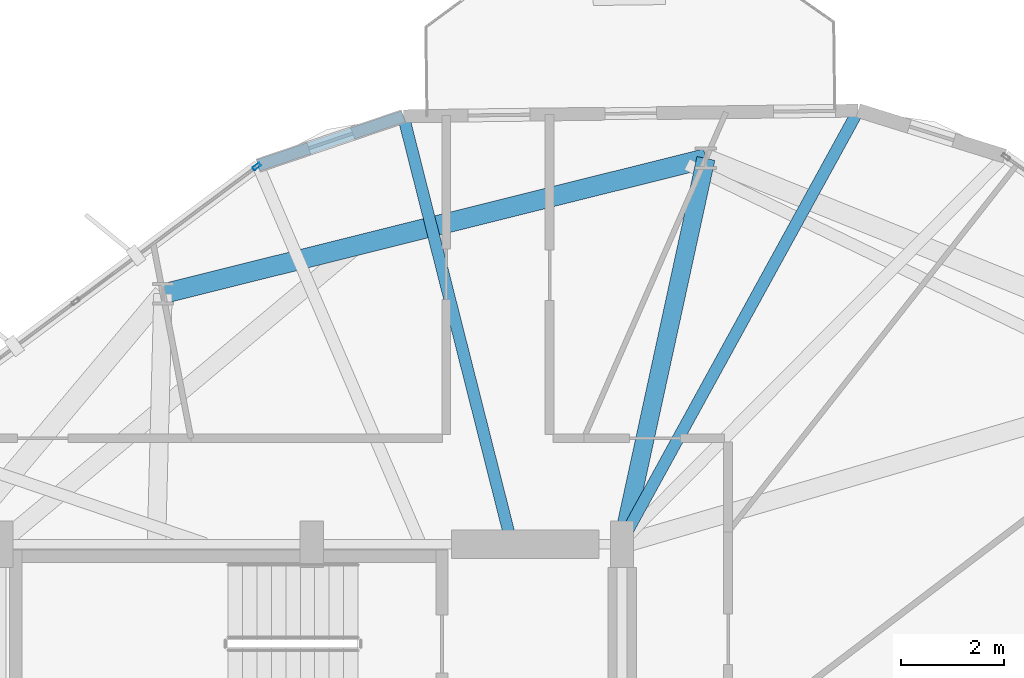
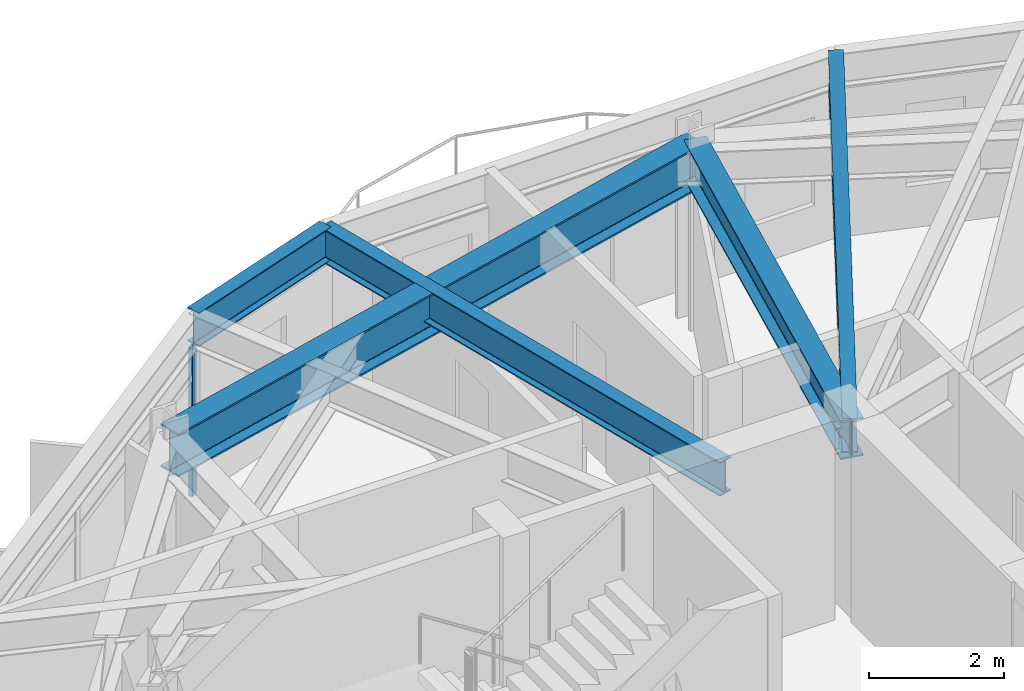
# One storey, part 16 of 27: 5 beams, 1 member, 1 element without a shape of its own.
"""IFC4 building model written with IfcOpenShell, lengths in metres."""

from ifc_helpers import new_model, si_unit, direction, frame, origin, origin_2d, place, context, subcontext, project, spatial, hollow_rectangle, i_section, extrude, material, layer, layer_set, material_profile, profile_set, type_object, element, aggregate, save


model = new_model("IFC4")

# Units and contexts
model_context = context("Model", 3, precision=1e-05, world=origin(), true_north=direction((0.0, 1.0)))
body_context = subcontext(model_context, "Body", "Model", "MODEL_VIEW")
ifc_project = project(units=[si_unit("LENGTHUNIT", "METRE"), si_unit("AREAUNIT", "SQUARE_METRE"), si_unit("VOLUMEUNIT", "CUBIC_METRE"), si_unit("PLANEANGLEUNIT", "RADIAN"), si_unit("MASSUNIT", "GRAM", prefix="KILO")], contexts=[model_context])

# Site, building, storey
site_placement = place(None, origin())
site = spatial("IfcSite", under=ifc_project, at=site_placement, CompositionType="ELEMENT")
building_placement = place(site_placement, origin())
building = spatial("IfcBuilding", under=site, at=building_placement, Name="Soratama Intermodal Tower", CompositionType="ELEMENT")
storey_placement = place(building_placement, frame((0.0, 0.0, 167.800048828125)))
storey = spatial("IfcBuildingStorey", under=building, at=storey_placement, Name="L41", CompositionType="ELEMENT", Elevation=167.800048828125)

# Beams
ifc_material_1 = material(Name="Structural steel ASTM A992 Grade 50", Category="steel")
ifc_material_profile_1 = material_profile(ifc_material_1, i_section(OverallWidth=0.35498046875, OverallDepth=0.695068359375, WebThickness=0.015380859375, FlangeThickness=0.02490234375, FilletRadius=0.01611328125, at=origin_2d()), Name="W27X146")
ifc_profile_set_1 = profile_set([ifc_material_profile_1], Name="Structural steel ASTM A992 Grade 50")
beam_type_1 = type_object("IfcBeamType", Name="BM-RING-W27X146", PredefinedType="BEAM", material=ifc_profile_set_1)
beam_1_placement = place(storey_placement, frame((44.60009765625, 35.0, 2.952392578125), z_axis=(0.212399095304, 0.977183004515, 0.0), x_axis=(-0.977183004515, 0.212399095304, 0.0)))
element("IfcBeam", 1, at=beam_1_placement, inside=storey, type_object=beam_type_1, Name="BM-L41-RAD-03", PredefinedType="BEAM", context=body_context, shape_type="SweptSolid", body=[
    extrude(i_section(OverallWidth=0.35498046875, OverallDepth=0.695068359375, WebThickness=0.015380859375, FlangeThickness=0.02490234375, FilletRadius=0.01611328125, at=origin_2d()), origin(), (0.0, 0.0, 1.0), 7.631103515625),
])
ifc_material_2 = material(Name="Structural steel ASTM A992 Grade 50", Category="steel")
ifc_material_profile_2 = material_profile(ifc_material_2, i_section(OverallWidth=0.382080078125, OverallDepth=0.779052734375, WebThickness=0.01806640625, FlangeThickness=0.030029296875, FilletRadius=0.01806640625, at=origin_2d()), Name="W30X191")
ifc_profile_set_2 = profile_set([ifc_material_profile_2], Name="Structural steel ASTM A992 Grade 50")
beam_type_2 = type_object("IfcBeamType", Name="BM-RING-W30X191", PredefinedType="BEAM", material=ifc_profile_set_2)
beam_2_placement = place(storey_placement, frame((46.220947265625, 42.45703125, 2.910400390625), z_axis=(-0.970310893227, -0.241861056155, 0.0), x_axis=(0.241861056155, -0.970310893227, 0.0)))
element("IfcBeam", 2, at=beam_2_placement, inside=storey, type_object=beam_type_2, Name="BM-L41-RING-03", PredefinedType="BEAM", context=body_context, shape_type="SweptSolid", body=[
    extrude(i_section(OverallWidth=0.382080078125, OverallDepth=0.779052734375, WebThickness=0.01806640625, FlangeThickness=0.030029296875, FilletRadius=0.01806640625, at=origin_2d()), origin(), (0.0, 0.0, 1.0), 10.81591796875),
])
ifc_material_3 = material(Name="Structural steel ASTM A992 Grade 50", Category="steel")
ifc_material_profile_3 = material_profile(ifc_material_3, i_section(OverallWidth=0.22900390625, OverallDepth=0.612060546875, WebThickness=0.011962890625, FlangeThickness=0.01953125, FilletRadius=0.012939453125, at=origin_2d()), Name="W24X84")
ifc_profile_set_3 = profile_set([ifc_material_profile_3], Name="Structural steel ASTM A992 Grade 50")
beam_type_3 = type_object("IfcBeamType", Name="BM-SPN-W24X84", PredefinedType="SPANDREL", material=ifc_profile_set_3)
beam_3_placement = place(storey_placement, frame((40.3740234375, 43.27197265625, 2.993896484375), z_axis=(-0.947099385043, -0.320940422587, 0.0), x_axis=(0.320940422587, -0.947099385043, 0.0)))
element("IfcBeam", 3, at=beam_3_placement, inside=storey, type_object=beam_type_3, Name="BS-L41-CRN02", PredefinedType="SPANDREL", context=body_context, shape_type="SweptSolid", body=[
    extrude(i_section(OverallWidth=0.22900390625, OverallDepth=0.612060546875, WebThickness=0.011962890625, FlangeThickness=0.01953125, FilletRadius=0.012939453125, at=origin_2d()), origin(), (0.0, 0.0, 1.0), 2.966064453125),
])
ifc_material_4 = material(Name="Structural steel ASTM A992 Grade 50", Category="steel")
ifc_material_profile_4 = material_profile(ifc_material_4, i_section(OverallWidth=0.22900390625, OverallDepth=0.612060546875, WebThickness=0.011962890625, FlangeThickness=0.01953125, FilletRadius=0.012939453125, at=origin_2d()), Name="W24X84")
ifc_profile_set_4 = profile_set([ifc_material_profile_4], Name="Structural steel ASTM A992 Grade 50")
beam_type_4 = type_object("IfcBeamType", Name="BM-TIE-W24X84", PredefinedType="BEAM", material=ifc_profile_set_4)
beam_4_placement = place(storey_placement, frame((44.58203125, 35.034912109375, 2.993896484375), z_axis=(0.481235637545, 0.876591273717, 0.0), x_axis=(-0.876591273717, 0.481235637545, 0.0)))
element("IfcBeam", 4, at=beam_4_placement, inside=storey, type_object=beam_type_4, Name="BM-L41-TIE0-02", PredefinedType="BEAM", context=body_context, shape_type="SweptSolid", body=[
    extrude(i_section(OverallWidth=0.22900390625, OverallDepth=0.612060546875, WebThickness=0.011962890625, FlangeThickness=0.01953125, FilletRadius=0.012939453125, at=origin_2d()), origin(), (0.0, 0.0, 1.0), 9.5234375),
])
beam_5_placement = place(storey_placement, frame((42.458984375, 35.0390625, 2.993896484375), z_axis=(-0.245497098609, 0.969397325442, 0.0), x_axis=(-0.969397325442, -0.245497098609, 0.0)))
element("IfcBeam", 5, at=beam_5_placement, inside=storey, type_object=beam_type_4, Name="BM-L41-TIE1-02", PredefinedType="BEAM", context=body_context, shape_type="SweptSolid", body=[
    extrude(i_section(OverallWidth=0.22900390625, OverallDepth=0.612060546875, WebThickness=0.011962890625, FlangeThickness=0.01953125, FilletRadius=0.012939453125, at=origin_2d()), origin(), (0.0, 0.0, 1.0), 8.492919921875),
])

# Curtain wall, member
ifc_material_5 = material(Name="Double-glazed aluminium curtain wall", Category="aluminium")
ifc_layer = layer(ifc_material_5, 0.159912109375)
ifc_layer_set = layer_set([ifc_layer], Name="Double-glazed aluminium curtain wall")
curtain_wall_type = type_object("IfcCurtainWallType", Name="CW-SYS-4", PredefinedType="NOTDEFINED", material=ifc_layer_set)
curtain_wall_placement = place(storey_placement, origin())
curtain_wall = element("IfcCurtainWall", 6, at=curtain_wall_placement, inside=storey, type_object=curtain_wall_type, Name="L41 Faceted Curtain Wall F03", PredefinedType="NOTDEFINED")
ifc_material_6 = material(Name="Anodised aluminium AA 6063-T6", Category="aluminium")
ifc_material_profile_5 = material_profile(ifc_material_6, hollow_rectangle(XDim=0.070068359375, YDim=0.159912109375, WallThickness=0.0048828125, InnerFilletRadius=0.0048828125, OuterFilletRadius=0.010009765625, at=origin_2d()), Name="CWM160X70X5")
ifc_profile_set_5 = profile_set([ifc_material_profile_5], Name="Anodised aluminium AA 6063-T6")
member_type = type_object("IfcMemberType", Name="MT-CWM-4", PredefinedType="MULLION", material=ifc_profile_set_5)
member_placement = place(storey_placement, frame((37.54052734375, 42.30224609375, 0.0), z_axis=(0.0, 0.0, 1.0), x_axis=(0.59790688007, -0.801565569848, 0.0)))
member = element("IfcMember", 7, at=member_placement, type_object=member_type, Name="CW-4 mullion 1", PredefinedType="MULLION", context=body_context, shape_type="SweptSolid", body=[
    extrude(hollow_rectangle(XDim=0.070068359375, YDim=0.159912109375, WallThickness=0.0048828125, InnerFilletRadius=0.0048828125, OuterFilletRadius=0.010009765625, at=origin_2d()), origin(), (0.0, 0.0, 1.0), 2.678955078125),
])
aggregate(curtain_wall, [member])

save(model, "model.ifc")
